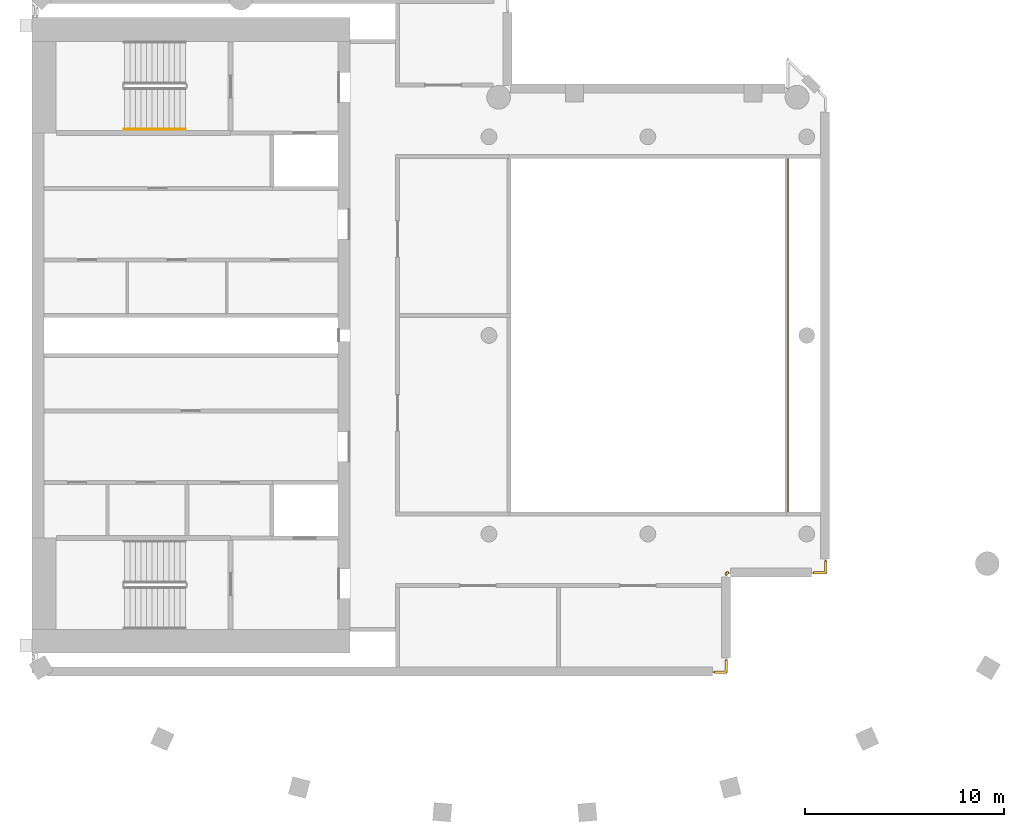
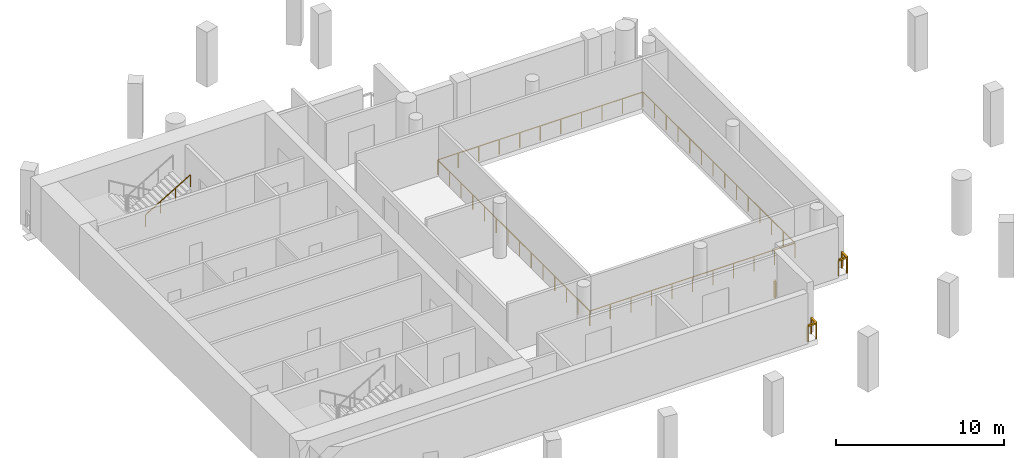
# One storey, part 6 of 8: 5 railings.
"""IFC4 building model written with IfcOpenShell, lengths in metres."""

from ifc_helpers import new_model, si_unit, direction, frame, origin, origin_2d, place, context, subcontext, project, spatial, rectangle, extrude, material, type_object, element, save


model = new_model("IFC4")

# Units and contexts
model_context = context("Model", 3, precision=1e-05, world=origin(), true_north=direction((0.0, 1.0)))
body_context = subcontext(model_context, "Body", "Model", "MODEL_VIEW")
ifc_project = project(units=[si_unit("LENGTHUNIT", "METRE"), si_unit("AREAUNIT", "SQUARE_METRE"), si_unit("VOLUMEUNIT", "CUBIC_METRE"), si_unit("PLANEANGLEUNIT", "RADIAN"), si_unit("MASSUNIT", "GRAM", prefix="KILO")], contexts=[model_context])

# Site, building, storey
site_placement = place(None, origin())
site = spatial("IfcSite", under=ifc_project, at=site_placement, CompositionType="ELEMENT")
building_placement = place(site_placement, origin())
building = spatial("IfcBuilding", under=site, at=building_placement, Name="Cypress Arch Tower", CompositionType="ELEMENT")
storey_placement = place(building_placement, frame((0.0, 0.0, 339.0)))
storey = spatial("IfcBuildingStorey", under=building, at=storey_placement, Name="L77", CompositionType="ELEMENT", Elevation=339.0)

# Railings
ifc_material_1 = material(Name="Stainless steel posts and handrail, laminated glass infill", Category="steel")
railing_type_1 = type_object("IfcRailingType", Name="Atrium guard GR1100A", PredefinedType="GUARDRAIL", material=ifc_material_1)
railing_1_placement = place(storey_placement, frame((8.050048828125, -9.050048828125, 0.0)))
element("IfcRailing", 1, at=railing_1_placement, inside=storey, type_object=railing_type_1, Name="Atrium guard L77", PredefinedType="GUARDRAIL", context=body_context, shape_type="SweptSolid", body=[
    extrude(rectangle(XDim=0.050048828125, YDim=0.050048828125, at=origin_2d()), frame((0.0, 0.0, 1.0751953125), z_axis=(-1.0, 0.0, 0.0), x_axis=(0.0, -1.0, 0.0)), (0.0, 0.0, 1.0), 14.10009765625),
    extrude(rectangle(XDim=0.050048828125, YDim=0.050048828125, at=origin_2d()), frame((-14.10009765625, 0.0, 1.0751953125), z_axis=(0.0, 1.0, 0.0), x_axis=(-1.0, 0.0, 0.0)), (0.0, 0.0, 1.0), 18.10009765625),
    extrude(rectangle(XDim=0.050048828125, YDim=0.050048828125, at=origin_2d()), frame((-14.10009765625, 18.10009765625, 1.0751953125), z_axis=(1.0, 0.0, 0.0), x_axis=(0.0, 1.0, 0.0)), (0.0, 0.0, 1.0), 14.10009765625),
    extrude(rectangle(XDim=0.050048828125, YDim=0.050048828125, at=origin_2d()), frame((0.0, 18.10009765625, 1.0751953125), z_axis=(0.0, -1.0, 0.0), x_axis=(1.0, 0.0, 0.0)), (0.0, 0.0, 1.0), 18.10009765625),
    extrude(rectangle(XDim=0.050048828125, YDim=0.050048828125, at=origin_2d()), origin(), (0.0, 0.0, 1.0), 1.050048828125),
    extrude(rectangle(XDim=0.050048828125, YDim=0.050048828125, at=origin_2d()), frame((-1.409912109375, 0.0, 0.0)), (0.0, 0.0, 1.0), 1.050048828125),
    extrude(rectangle(XDim=0.050048828125, YDim=0.050048828125, at=origin_2d()), frame((-2.820068359375, 0.0, 0.0)), (0.0, 0.0, 1.0), 1.050048828125),
    extrude(rectangle(XDim=0.050048828125, YDim=0.050048828125, at=origin_2d()), frame((-4.22998046875, 0.0, 0.0)), (0.0, 0.0, 1.0), 1.050048828125),
    extrude(rectangle(XDim=0.050048828125, YDim=0.050048828125, at=origin_2d()), frame((-5.64013671875, 0.0, 0.0)), (0.0, 0.0, 1.0), 1.050048828125),
    extrude(rectangle(XDim=0.050048828125, YDim=0.050048828125, at=origin_2d()), frame((-7.050048828125, 0.0, 0.0)), (0.0, 0.0, 1.0), 1.050048828125),
    extrude(rectangle(XDim=0.050048828125, YDim=0.050048828125, at=origin_2d()), frame((-8.4599609375, 0.0, 0.0)), (0.0, 0.0, 1.0), 1.050048828125),
    extrude(rectangle(XDim=0.050048828125, YDim=0.050048828125, at=origin_2d()), frame((-9.8701171875, 0.0, 0.0)), (0.0, 0.0, 1.0), 1.050048828125),
    extrude(rectangle(XDim=0.050048828125, YDim=0.050048828125, at=origin_2d()), frame((-11.280029296875, 0.0, 0.0)), (0.0, 0.0, 1.0), 1.050048828125),
    extrude(rectangle(XDim=0.050048828125, YDim=0.050048828125, at=origin_2d()), frame((-12.690185546875, 0.0, 0.0)), (0.0, 0.0, 1.0), 1.050048828125),
    extrude(rectangle(XDim=0.050048828125, YDim=0.050048828125, at=origin_2d()), frame((-14.10009765625, 0.0, 0.0)), (0.0, 0.0, 1.0), 1.050048828125),
    extrude(rectangle(XDim=0.050048828125, YDim=0.050048828125, at=origin_2d()), frame((-14.10009765625, 1.392333984375, 0.0)), (0.0, 0.0, 1.0), 1.050048828125),
    extrude(rectangle(XDim=0.050048828125, YDim=0.050048828125, at=origin_2d()), frame((-14.10009765625, 2.78466796875, 0.0)), (0.0, 0.0, 1.0), 1.050048828125),
    extrude(rectangle(XDim=0.050048828125, YDim=0.050048828125, at=origin_2d()), frame((-14.10009765625, 4.177001953125, 0.0)), (0.0, 0.0, 1.0), 1.050048828125),
    extrude(rectangle(XDim=0.050048828125, YDim=0.050048828125, at=origin_2d()), frame((-14.10009765625, 5.5693359375, 0.0)), (0.0, 0.0, 1.0), 1.050048828125),
    extrude(rectangle(XDim=0.050048828125, YDim=0.050048828125, at=origin_2d()), frame((-14.10009765625, 6.961669921875, 0.0)), (0.0, 0.0, 1.0), 1.050048828125),
    extrude(rectangle(XDim=0.050048828125, YDim=0.050048828125, at=origin_2d()), frame((-14.10009765625, 8.35400390625, 0.0)), (0.0, 0.0, 1.0), 1.050048828125),
    extrude(rectangle(XDim=0.050048828125, YDim=0.050048828125, at=origin_2d()), frame((-14.10009765625, 9.74609375, 0.0)), (0.0, 0.0, 1.0), 1.050048828125),
    extrude(rectangle(XDim=0.050048828125, YDim=0.050048828125, at=origin_2d()), frame((-14.10009765625, 11.138427734375, 0.0)), (0.0, 0.0, 1.0), 1.050048828125),
    extrude(rectangle(XDim=0.050048828125, YDim=0.050048828125, at=origin_2d()), frame((-14.10009765625, 12.53076171875, 0.0)), (0.0, 0.0, 1.0), 1.050048828125),
    extrude(rectangle(XDim=0.050048828125, YDim=0.050048828125, at=origin_2d()), frame((-14.10009765625, 13.923095703125, 0.0)), (0.0, 0.0, 1.0), 1.050048828125),
    extrude(rectangle(XDim=0.050048828125, YDim=0.050048828125, at=origin_2d()), frame((-14.10009765625, 15.3154296875, 0.0)), (0.0, 0.0, 1.0), 1.050048828125),
    extrude(rectangle(XDim=0.050048828125, YDim=0.050048828125, at=origin_2d()), frame((-14.10009765625, 16.707763671875, 0.0)), (0.0, 0.0, 1.0), 1.050048828125),
    extrude(rectangle(XDim=0.050048828125, YDim=0.050048828125, at=origin_2d()), frame((-14.10009765625, 18.10009765625, 0.0)), (0.0, 0.0, 1.0), 1.050048828125),
    extrude(rectangle(XDim=0.050048828125, YDim=0.050048828125, at=origin_2d()), frame((-12.690185546875, 18.10009765625, 0.0)), (0.0, 0.0, 1.0), 1.050048828125),
    extrude(rectangle(XDim=0.050048828125, YDim=0.050048828125, at=origin_2d()), frame((-11.280029296875, 18.10009765625, 0.0)), (0.0, 0.0, 1.0), 1.050048828125),
    extrude(rectangle(XDim=0.050048828125, YDim=0.050048828125, at=origin_2d()), frame((-9.8701171875, 18.10009765625, 0.0)), (0.0, 0.0, 1.0), 1.050048828125),
    extrude(rectangle(XDim=0.050048828125, YDim=0.050048828125, at=origin_2d()), frame((-8.4599609375, 18.10009765625, 0.0)), (0.0, 0.0, 1.0), 1.050048828125),
    extrude(rectangle(XDim=0.050048828125, YDim=0.050048828125, at=origin_2d()), frame((-7.050048828125, 18.10009765625, 0.0)), (0.0, 0.0, 1.0), 1.050048828125),
    extrude(rectangle(XDim=0.050048828125, YDim=0.050048828125, at=origin_2d()), frame((-5.64013671875, 18.10009765625, 0.0)), (0.0, 0.0, 1.0), 1.050048828125),
    extrude(rectangle(XDim=0.050048828125, YDim=0.050048828125, at=origin_2d()), frame((-4.22998046875, 18.10009765625, 0.0)), (0.0, 0.0, 1.0), 1.050048828125),
    extrude(rectangle(XDim=0.050048828125, YDim=0.050048828125, at=origin_2d()), frame((-2.820068359375, 18.10009765625, 0.0)), (0.0, 0.0, 1.0), 1.050048828125),
    extrude(rectangle(XDim=0.050048828125, YDim=0.050048828125, at=origin_2d()), frame((-1.409912109375, 18.10009765625, 0.0)), (0.0, 0.0, 1.0), 1.050048828125),
    extrude(rectangle(XDim=0.050048828125, YDim=0.050048828125, at=origin_2d()), frame((0.0, 18.10009765625, 0.0)), (0.0, 0.0, 1.0), 1.050048828125),
    extrude(rectangle(XDim=0.050048828125, YDim=0.050048828125, at=origin_2d()), frame((0.0, 16.707763671875, 0.0)), (0.0, 0.0, 1.0), 1.050048828125),
    extrude(rectangle(XDim=0.050048828125, YDim=0.050048828125, at=origin_2d()), frame((0.0, 15.3154296875, 0.0)), (0.0, 0.0, 1.0), 1.050048828125),
    extrude(rectangle(XDim=0.050048828125, YDim=0.050048828125, at=origin_2d()), frame((0.0, 13.923095703125, 0.0)), (0.0, 0.0, 1.0), 1.050048828125),
    extrude(rectangle(XDim=0.050048828125, YDim=0.050048828125, at=origin_2d()), frame((0.0, 12.53076171875, 0.0)), (0.0, 0.0, 1.0), 1.050048828125),
    extrude(rectangle(XDim=0.050048828125, YDim=0.050048828125, at=origin_2d()), frame((0.0, 11.138427734375, 0.0)), (0.0, 0.0, 1.0), 1.050048828125),
    extrude(rectangle(XDim=0.050048828125, YDim=0.050048828125, at=origin_2d()), frame((0.0, 9.74609375, 0.0)), (0.0, 0.0, 1.0), 1.050048828125),
    extrude(rectangle(XDim=0.050048828125, YDim=0.050048828125, at=origin_2d()), frame((0.0, 8.35400390625, 0.0)), (0.0, 0.0, 1.0), 1.050048828125),
    extrude(rectangle(XDim=0.050048828125, YDim=0.050048828125, at=origin_2d()), frame((0.0, 6.961669921875, 0.0)), (0.0, 0.0, 1.0), 1.050048828125),
    extrude(rectangle(XDim=0.050048828125, YDim=0.050048828125, at=origin_2d()), frame((0.0, 5.5693359375, 0.0)), (0.0, 0.0, 1.0), 1.050048828125),
    extrude(rectangle(XDim=0.050048828125, YDim=0.050048828125, at=origin_2d()), frame((0.0, 4.177001953125, 0.0)), (0.0, 0.0, 1.0), 1.050048828125),
    extrude(rectangle(XDim=0.050048828125, YDim=0.050048828125, at=origin_2d()), frame((0.0, 2.78466796875, 0.0)), (0.0, 0.0, 1.0), 1.050048828125),
    extrude(rectangle(XDim=0.050048828125, YDim=0.050048828125, at=origin_2d()), frame((0.0, 1.392333984375, 0.0)), (0.0, 0.0, 1.0), 1.050048828125),
])
ifc_material_2 = material(Name="Stainless steel posts and handrail, laminated glass infill", Category="steel")
railing_type_2 = type_object("IfcRailingType", Name="Deck guard GR1200D", PredefinedType="GUARDRAIL", material=ifc_material_2)
railing_2_placement = place(storey_placement, frame((4.949951171875, -16.35009765625, 0.0)))
element("IfcRailing", 2, at=railing_2_placement, inside=storey, type_object=railing_type_2, Name="Crown edge guard L77 5", PredefinedType="GUARDRAIL", context=body_context, shape_type="SweptSolid", body=[
    extrude(rectangle(XDim=0.1201171875, YDim=0.1201171875, at=origin_2d()), frame((0.0, 0.0, 1.139892578125), z_axis=(0.0, -1.0, 0.0), x_axis=(1.0, 0.0, 0.0)), (0.0, 0.0, 1.0), 0.599853515625),
    extrude(rectangle(XDim=0.1201171875, YDim=0.1201171875, at=origin_2d()), frame((0.0, -0.599853515625, 1.139892578125), z_axis=(-1.0, 0.0, 0.0), x_axis=(0.0, -1.0, 0.0)), (0.0, 0.0, 1.0), 0.599853515625),
    extrude(rectangle(XDim=0.080078125, YDim=0.080078125, at=origin_2d()), origin(), (0.0, 0.0, 1.0), 1.079833984375),
    extrude(rectangle(XDim=0.080078125, YDim=0.080078125, at=origin_2d()), frame((0.0, -0.599853515625, 0.0)), (0.0, 0.0, 1.0), 1.079833984375),
    extrude(rectangle(XDim=0.080078125, YDim=0.080078125, at=origin_2d()), frame((-0.599853515625, -0.599853515625, 0.0)), (0.0, 0.0, 1.0), 1.079833984375),
])
railing_3_placement = place(storey_placement, frame((5.050048828125, -11.949951171875, 0.0)))
element("IfcRailing", 3, at=railing_3_placement, inside=storey, type_object=railing_type_2, Name="Crown edge guard L77 6", PredefinedType="GUARDRAIL", context=body_context, shape_type="SweptSolid", body=[
    extrude(rectangle(XDim=0.1201171875, YDim=0.1201171875, at=origin_2d()), frame((0.0, 0.0, 1.139892578125), z_axis=(-1.0, 0.0, 0.0), x_axis=(0.0, -1.0, 0.0)), (0.0, 0.0, 1.0), 0.10009765625),
    extrude(rectangle(XDim=0.1201171875, YDim=0.1201171875, at=origin_2d()), frame((-0.10009765625, 0.0, 1.139892578125), z_axis=(0.0, -1.0, 0.0), x_axis=(1.0, 0.0, 0.0)), (0.0, 0.0, 1.0), 0.10009765625),
    extrude(rectangle(XDim=0.080078125, YDim=0.080078125, at=origin_2d()), origin(), (0.0, 0.0, 1.0), 1.079833984375),
    extrude(rectangle(XDim=0.080078125, YDim=0.080078125, at=origin_2d()), frame((-0.10009765625, 0.0, 0.0)), (0.0, 0.0, 1.0), 1.079833984375),
    extrude(rectangle(XDim=0.080078125, YDim=0.080078125, at=origin_2d()), frame((-0.10009765625, -0.10009765625, 0.0)), (0.0, 0.0, 1.0), 1.079833984375),
])
railing_4_placement = place(storey_placement, frame((9.949951171875, -11.35009765625, 0.0)))
element("IfcRailing", 4, at=railing_4_placement, inside=storey, type_object=railing_type_2, Name="Crown edge guard L77 8", PredefinedType="GUARDRAIL", context=body_context, shape_type="SweptSolid", body=[
    extrude(rectangle(XDim=0.1201171875, YDim=0.1201171875, at=origin_2d()), frame((0.0, 0.0, 1.139892578125), z_axis=(0.0, -1.0, 0.0), x_axis=(1.0, 0.0, 0.0)), (0.0, 0.0, 1.0), 0.599853515625),
    extrude(rectangle(XDim=0.1201171875, YDim=0.1201171875, at=origin_2d()), frame((0.0, -0.599853515625, 1.139892578125), z_axis=(-1.0, 0.0, 0.0), x_axis=(0.0, -1.0, 0.0)), (0.0, 0.0, 1.0), 0.599853515625),
    extrude(rectangle(XDim=0.080078125, YDim=0.080078125, at=origin_2d()), origin(), (0.0, 0.0, 1.0), 1.079833984375),
    extrude(rectangle(XDim=0.080078125, YDim=0.080078125, at=origin_2d()), frame((0.0, -0.599853515625, 0.0)), (0.0, 0.0, 1.0), 1.079833984375),
    extrude(rectangle(XDim=0.080078125, YDim=0.080078125, at=origin_2d()), frame((-0.599853515625, -0.599853515625, 0.0)), (0.0, 0.0, 1.0), 1.079833984375),
])
ifc_material_3 = material(Name="Black powder-coated steel square bar 48 mm", Category="steel")
railing_type_3 = type_object("IfcRailingType", Name="Stair handrail HR1", PredefinedType="HANDRAIL", material=ifc_material_3)
railing_5_placement = place(storey_placement, frame((-25.35498046875, 10.375, 2.166748046875)))
element("IfcRailing", 5, at=railing_5_placement, inside=storey, type_object=railing_type_3, Name="L77 B stair handrail 2", PredefinedType="HANDRAIL", context=body_context, shape_type="SweptSolid", body=[
    extrude(rectangle(XDim=0.048095703125, YDim=0.048095703125, at=origin_2d()), frame((0.0, 0.0, 0.8759765625), z_axis=(0.859308565015, 0.0, 0.511457515432), x_axis=(0.0, 1.0, 0.0)), (0.0, 0.0, 1.0), 3.58447265625),
    extrude(rectangle(XDim=0.0419921875, YDim=0.0419921875, at=origin_2d()), origin(), (0.0, 0.0, 1.0), 0.851806640625),
    extrude(rectangle(XDim=0.0419921875, YDim=0.0419921875, at=origin_2d()), frame((1.026611328125, 0.0, 0.611083984375)), (0.0, 0.0, 1.0), 0.851806640625),
    extrude(rectangle(XDim=0.0419921875, YDim=0.0419921875, at=origin_2d()), frame((2.053466796875, 0.0, 1.22216796875)), (0.0, 0.0, 1.0), 0.851806640625),
    extrude(rectangle(XDim=0.0419921875, YDim=0.0419921875, at=origin_2d()), frame((3.080078125, 0.0, 1.833251953125)), (0.0, 0.0, 1.0), 0.851806640625),
])

save(model, "model.ifc")
